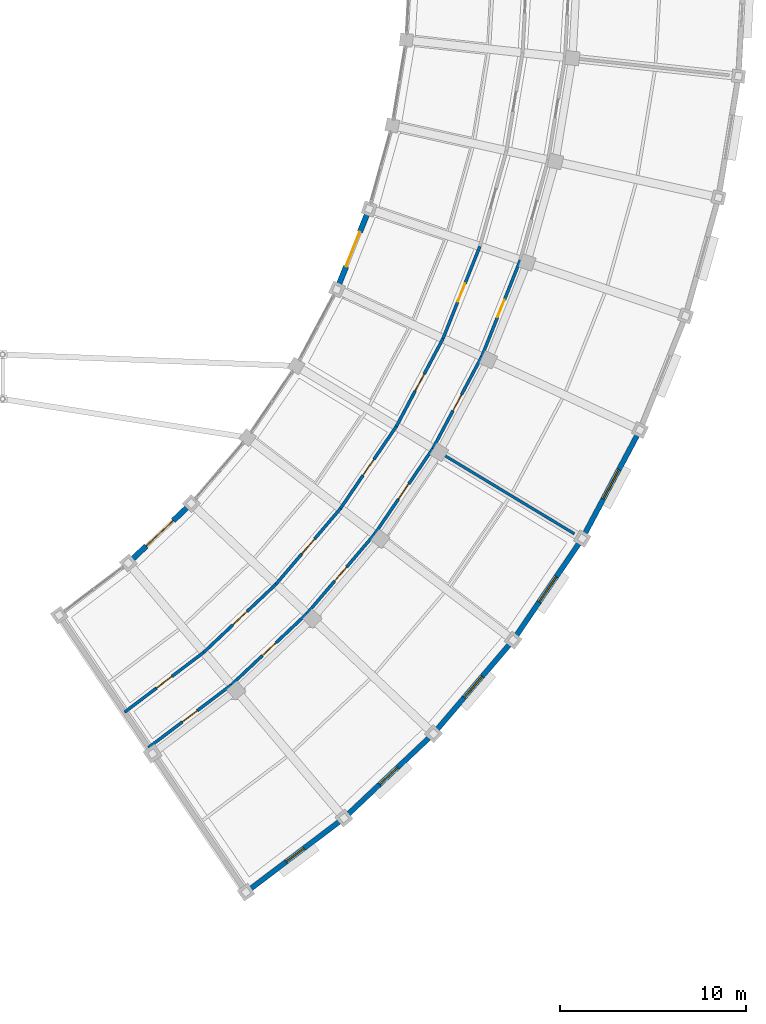
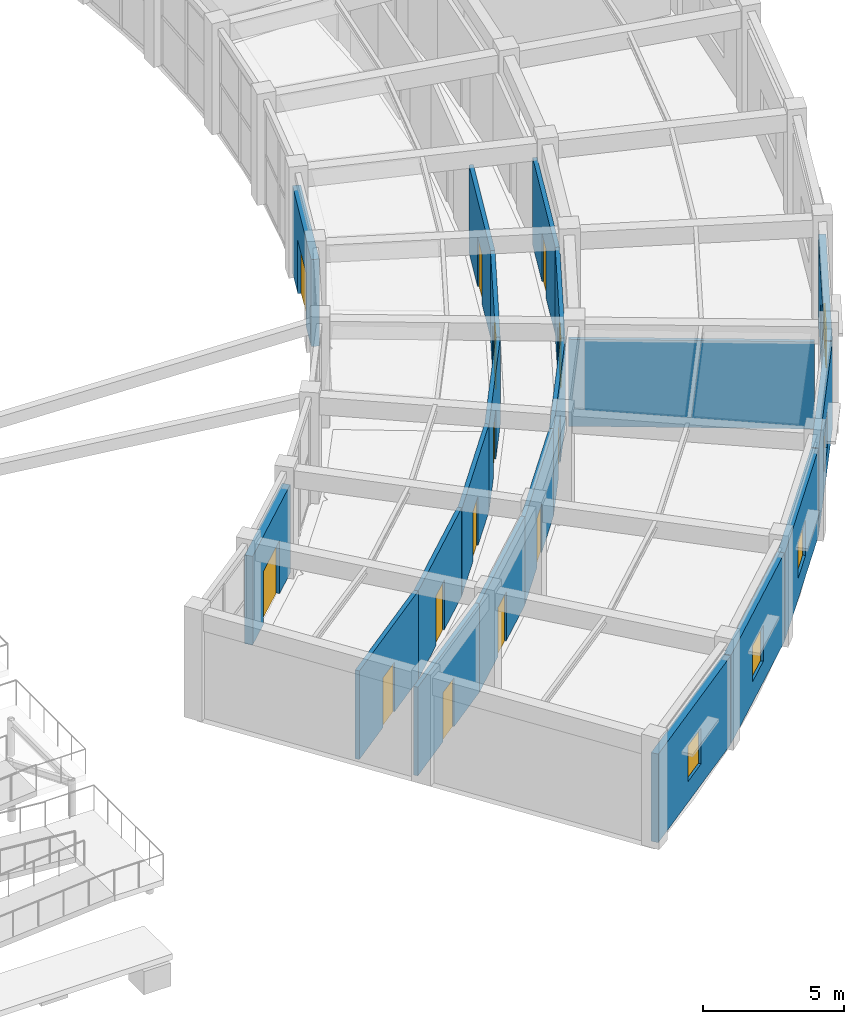
# One storey, part 93 of 108: 20 walls, 14 doors, 5 windows, 19 openings.
"""IFC4 building model written with IfcOpenShell, lengths in metres."""

from ifc_helpers import new_model, si_unit, direction, frame, frame_2d, origin, place, context, subcontext, project, spatial, rectangle, extrude, material, layer, layer_set, type_object, element, fill, save


model = new_model("IFC4")

# Units and contexts
model_context = context("Model", 3, precision=1e-05, world=origin(), true_north=direction((0.0, 1.0)))
body_context = subcontext(model_context, "Body", "Model", "MODEL_VIEW")
ifc_project = project(units=[si_unit("LENGTHUNIT", "METRE"), si_unit("AREAUNIT", "SQUARE_METRE"), si_unit("VOLUMEUNIT", "CUBIC_METRE"), si_unit("PLANEANGLEUNIT", "RADIAN"), si_unit("MASSUNIT", "GRAM", prefix="KILO")], contexts=[model_context])

# Site, building, storey
site_placement = place(None, origin())
site = spatial("IfcSite", under=ifc_project, at=site_placement, CompositionType="ELEMENT")
building_placement = place(site_placement, origin())
building = spatial("IfcBuilding", under=site, at=building_placement, Name="Tarnveldt Headland Concert Hall", CompositionType="ELEMENT")
storey_placement = place(building_placement, origin())
storey = spatial("IfcBuildingStorey", under=building, at=storey_placement, Name="L00", CompositionType="ELEMENT", Elevation=0.0)

# Wall, opening, window
ifc_material_1 = material(Name="Coral-toned precast concrete C40/50", Category="concrete")
ifc_layer_1 = layer(ifc_material_1, 0.27490234375, Name="Coral-toned precast concrete C40/50", Category="concrete")
ifc_layer_set_1 = layer_set([ifc_layer_1], Name="Coral-toned precast concrete C40/50")
wall_type_1 = type_object("IfcWallType", Name="WL-EX275", PredefinedType="SOLIDWALL", material=ifc_layer_set_1)
wall_1_placement = place(storey_placement, frame((156.875, 13.41162109375, 0.0), z_axis=(0.0, 0.0, 1.0), x_axis=(-0.797477783019, -0.603348311998, 0.0)))
wall_1 = element("IfcWall", 1, at=wall_1_placement, inside=storey, type_object=wall_type_1, Name="External precast wall L00-85", PredefinedType="SOLIDWALL", context=body_context, shape_type="SweptSolid", body=[
    extrude(rectangle(XDim=6.5810546875, YDim=0.27490234375, at=frame_2d((3.29052734375, 0.0))), origin(), (0.0, 0.0, 1.0), 3.827880859375),
])
opening_1_placement = place(wall_1_placement, frame((2.690673828125, 0.0, 0.89990234375)))
opening_1 = element("IfcOpeningElement", 2, at=opening_1_placement, cuts=wall_1, Name="Opening W-C024", PredefinedType="OPENING", context=body_context, shape_type="SweptSolid", body=[
    extrude(rectangle(XDim=1.199951171875, YDim=1.550048828125, at=frame_2d((0.60009765625, 0.77490234375))), frame((0.0, 0.1474609375, 0.0), z_axis=(0.0, -1.0, 0.0), x_axis=(1.0, 0.0, 0.0)), (0.0, 0.0, 1.0), 0.294921875),
])
ifc_material_2 = material(Name="Acoustic laminated low-iron double glazing", Category="glass")
window_type_1 = type_object("IfcWindowType", Name="WN-01", PartitioningType="SINGLE_PANEL", PredefinedType="WINDOW", material=ifc_material_2)
window_1_placement = place(opening_1_placement, origin())
window_1 = element("IfcWindow", 3, at=window_1_placement, inside=storey, type_object=window_type_1, Name="Crescent coastal studio window L00-1", OverallHeight=1.550048828125, OverallWidth=1.199951171875, PartitioningType="SINGLE_PANEL", PredefinedType="WINDOW", context=body_context, shape_type="SweptSolid", body=[
    extrude(rectangle(XDim=1.199951171875, YDim=1.550048828125, at=frame_2d((0.60009765625, 0.77490234375))), frame((0.0, 0.030029296875, 0.0), z_axis=(0.0, -1.0, 0.0), x_axis=(1.0, 0.0, 0.0)), (0.0, 0.0, 1.0), 0.06005859375),
])
fill(opening_1, window_1)

wall_2_placement = place(storey_placement, frame((161.692626953125, 17.953857421875, 0.0), z_axis=(0.0, 0.0, 1.0), x_axis=(-0.727377231984, -0.686237832235, 0.0)))
wall_2 = element("IfcWall", 4, at=wall_2_placement, inside=storey, type_object=wall_type_1, Name="External precast wall L00-87", PredefinedType="SOLIDWALL", context=body_context, shape_type="SweptSolid", body=[
    extrude(rectangle(XDim=6.581298828125, YDim=0.27490234375, at=frame_2d((3.29052734375, 0.0))), origin(), (0.0, 0.0, 1.0), 3.827880859375),
])
opening_2_placement = place(wall_2_placement, frame((2.61572265625, 0.0, 0.89990234375)))
opening_2 = element("IfcOpeningElement", 5, at=opening_2_placement, cuts=wall_2, Name="Opening W-C025", PredefinedType="OPENING", context=body_context, shape_type="SweptSolid", body=[
    extrude(rectangle(XDim=1.35009765625, YDim=1.550048828125, at=frame_2d((0.675048828125, 0.77490234375))), frame((0.0, 0.1474609375, 0.0), z_axis=(0.0, -1.0, 0.0), x_axis=(1.0, 0.0, 0.0)), (0.0, 0.0, 1.0), 0.294921875),
])
window_type_2 = type_object("IfcWindowType", Name="WN-02", PartitioningType="SINGLE_PANEL", PredefinedType="WINDOW", material=ifc_material_2)
window_2_placement = place(opening_2_placement, origin())
window_2 = element("IfcWindow", 6, at=window_2_placement, inside=storey, type_object=window_type_2, Name="Crescent coastal studio window L00-2", OverallHeight=1.550048828125, OverallWidth=1.35009765625, PartitioningType="SINGLE_PANEL", PredefinedType="WINDOW", context=body_context, shape_type="SweptSolid", body=[
    extrude(rectangle(XDim=1.35009765625, YDim=1.550048828125, at=frame_2d((0.675048828125, 0.77490234375))), frame((0.0, 0.030029296875, 0.0), z_axis=(0.0, -1.0, 0.0), x_axis=(1.0, 0.0, 0.0)), (0.0, 0.0, 1.0), 0.06005859375),
])
fill(opening_2, window_2)

wall_3_placement = place(storey_placement, frame((165.989501953125, 22.9912109375, 0.0), z_axis=(0.0, 0.0, 1.0), x_axis=(-0.648708464949, -0.761037007973, 0.0)))
wall_3 = element("IfcWall", 7, at=wall_3_placement, inside=storey, type_object=wall_type_1, Name="External precast wall L00-88", PredefinedType="SOLIDWALL", context=body_context, shape_type="SweptSolid", body=[
    extrude(rectangle(XDim=6.581298828125, YDim=0.27490234375, at=frame_2d((3.29052734375, 0.0))), origin(), (0.0, 0.0, 1.0), 3.758056640625),
])
opening_3_placement = place(wall_3_placement, frame((2.54052734375, 0.0, 0.89990234375)))
opening_3 = element("IfcOpeningElement", 8, at=opening_3_placement, cuts=wall_3, Name="Opening W-C026", PredefinedType="OPENING", context=body_context, shape_type="SweptSolid", body=[
    extrude(rectangle(XDim=1.5, YDim=1.550048828125, at=frame_2d((0.75, 0.77490234375))), frame((0.0, 0.1474609375, 0.0), z_axis=(0.0, -1.0, 0.0), x_axis=(1.0, 0.0, 0.0)), (0.0, 0.0, 1.0), 0.294921875),
])
window_type_3 = type_object("IfcWindowType", Name="WN-03", PartitioningType="SINGLE_PANEL", PredefinedType="WINDOW", material=ifc_material_2)
window_3_placement = place(opening_3_placement, origin())
window_3 = element("IfcWindow", 9, at=window_3_placement, inside=storey, type_object=window_type_3, Name="Crescent coastal studio window L00-3", OverallHeight=1.550048828125, OverallWidth=1.5, PartitioningType="SINGLE_PANEL", PredefinedType="WINDOW", context=body_context, shape_type="SweptSolid", body=[
    extrude(rectangle(XDim=1.5, YDim=1.550048828125, at=frame_2d((0.75, 0.77490234375))), frame((0.0, 0.030029296875, 0.0), z_axis=(0.0, -1.0, 0.0), x_axis=(1.0, 0.0, 0.0)), (0.0, 0.0, 1.0), 0.06005859375),
])
fill(opening_3, window_3)

wall_4_placement = place(storey_placement, frame((169.715087890625, 28.46484375, 0.0), z_axis=(0.0, 0.0, 1.0), x_axis=(-0.56240640933, -0.826860950067, 0.0)))
wall_4 = element("IfcWall", 10, at=wall_4_placement, inside=storey, type_object=wall_type_1, Name="External precast wall L00-89", PredefinedType="SOLIDWALL", context=body_context, shape_type="SweptSolid", body=[
    extrude(rectangle(XDim=6.581298828125, YDim=0.27490234375, at=frame_2d((3.29052734375, 0.0))), origin(), (0.0, 0.0, 1.0), 3.758056640625),
])
opening_4_placement = place(wall_4_placement, frame((2.4658203125, 0.0, 0.89990234375)))
opening_4 = element("IfcOpeningElement", 11, at=opening_4_placement, cuts=wall_4, Name="Opening W-C027", PredefinedType="OPENING", context=body_context, shape_type="SweptSolid", body=[
    extrude(rectangle(XDim=1.64990234375, YDim=1.550048828125, at=frame_2d((0.824951171875, 0.77490234375))), frame((0.0, 0.1474609375, 0.0), z_axis=(0.0, -1.0, 0.0), x_axis=(1.0, 0.0, 0.0)), (0.0, 0.0, 1.0), 0.294921875),
])
window_type_4 = type_object("IfcWindowType", Name="WN-04", PartitioningType="SINGLE_PANEL", PredefinedType="WINDOW", material=ifc_material_2)
window_4_placement = place(opening_4_placement, origin())
window_4 = element("IfcWindow", 12, at=window_4_placement, inside=storey, type_object=window_type_4, Name="Crescent coastal studio window L00-4", OverallHeight=1.550048828125, OverallWidth=1.64990234375, PartitioningType="SINGLE_PANEL", PredefinedType="WINDOW", context=body_context, shape_type="SweptSolid", body=[
    extrude(rectangle(XDim=1.64990234375, YDim=1.550048828125, at=frame_2d((0.824951171875, 0.77490234375))), frame((0.0, 0.030029296875, 0.0), z_axis=(0.0, -1.0, 0.0), x_axis=(1.0, 0.0, 0.0)), (0.0, 0.0, 1.0), 0.06005859375),
])
fill(opening_4, window_4)

wall_5_placement = place(storey_placement, frame((172.8251953125, 34.309814453125, 0.0), z_axis=(0.0, 0.0, 1.0), x_axis=(-0.469465310576, -0.882950917189, 0.0)))
wall_5 = element("IfcWall", 13, at=wall_5_placement, inside=storey, type_object=wall_type_1, Name="External precast wall L00-90", PredefinedType="SOLIDWALL", context=body_context, shape_type="SweptSolid", body=[
    extrude(rectangle(XDim=6.5810546875, YDim=0.27490234375, at=frame_2d((3.29052734375, 0.0))), origin(), (0.0, 0.0, 1.0), 3.758056640625),
])
opening_5_placement = place(wall_5_placement, frame((2.390625, 0.0, 0.89990234375)))
opening_5 = element("IfcOpeningElement", 14, at=opening_5_placement, cuts=wall_5, Name="Opening W-C028", PredefinedType="OPENING", context=body_context, shape_type="SweptSolid", body=[
    extrude(rectangle(XDim=1.800048828125, YDim=1.550048828125, at=frame_2d((0.89990234375, 0.77490234375))), frame((0.0, 0.1474609375, 0.0), z_axis=(0.0, -1.0, 0.0), x_axis=(1.0, 0.0, 0.0)), (0.0, 0.0, 1.0), 0.294921875),
])
window_type_5 = type_object("IfcWindowType", Name="WN-05", PartitioningType="SINGLE_PANEL", PredefinedType="WINDOW", material=ifc_material_2)
window_5_placement = place(opening_5_placement, origin())
window_5 = element("IfcWindow", 15, at=window_5_placement, inside=storey, type_object=window_type_5, Name="Crescent coastal studio window L00-5", OverallHeight=1.550048828125, OverallWidth=1.800048828125, PartitioningType="SINGLE_PANEL", PredefinedType="WINDOW", context=body_context, shape_type="SweptSolid", body=[
    extrude(rectangle(XDim=1.800048828125, YDim=1.550048828125, at=frame_2d((0.89990234375, 0.77490234375))), frame((0.0, 0.030029296875, 0.0), z_axis=(0.0, -1.0, 0.0), x_axis=(1.0, 0.0, 0.0)), (0.0, 0.0, 1.0), 0.06005859375),
])
fill(opening_5, window_5)

# Wall, opening, door
ifc_layer_2 = layer(ifc_material_1, 0.300048828125, Name="Coral-toned precast concrete C40/50", Category="concrete")
ifc_layer_set_2 = layer_set([ifc_layer_2], Name="Coral-toned precast concrete C40/50")
wall_type_2 = type_object("IfcWallType", Name="WL-EX300", PredefinedType="SOLIDWALL", material=ifc_layer_set_2)
wall_6_placement = place(storey_placement, frame((145.281982421875, 27.18115234375, 0.0), z_axis=(0.0, 0.0, 1.0), x_axis=(0.727383217963, 0.686231487346, 0.0)))
wall_6 = element("IfcWall", 16, at=wall_6_placement, inside=storey, type_object=wall_type_2, Name="External precast wall L00-86", PredefinedType="SOLIDWALL", context=body_context, shape_type="SweptSolid", body=[
    extrude(rectangle(XDim=4.62744140625, YDim=0.300048828125, at=frame_2d((2.313720703125, 0.0))), origin(), (0.0, 0.0, 1.0), 3.827880859375),
])
opening_6_placement = place(wall_6_placement, frame((1.313720703125, 0.0, 0.0)))
opening_6 = element("IfcOpeningElement", 17, at=opening_6_placement, cuts=wall_6, Name="Opening EX-09", PredefinedType="OPENING", context=body_context, shape_type="SweptSolid", body=[
    extrude(rectangle(XDim=2.0, YDim=2.300048828125, at=frame_2d((1.0, 1.14990234375))), frame((0.0, 0.159912109375, 0.0), z_axis=(0.0, -1.0, 0.0), x_axis=(1.0, 0.0, 0.0)), (0.0, 0.0, 1.0), 0.320068359375),
])
ifc_material_3 = material(Name="Marine-anodised aluminium EN AW-6063-T6", Category="aluminium")
door_type_1 = type_object("IfcDoorType", Name="DR-EX200", OperationType="NOTDEFINED", PredefinedType="DOOR", material=ifc_material_3)
door_1_placement = place(opening_6_placement, origin())
door_1 = element("IfcDoor", 18, at=door_1_placement, inside=storey, type_object=door_type_1, Name="Crescent forecourt exit door EX-09", OperationType="DOUBLE_DOOR_SINGLE_SWING", OverallHeight=2.300048828125, OverallWidth=2.0, PredefinedType="DOOR", context=body_context, shape_type="SweptSolid", body=[
    extrude(rectangle(XDim=2.0, YDim=2.300048828125, at=frame_2d((1.0, 1.14990234375))), frame((0.0, 0.02490234375, 0.0), z_axis=(0.0, -1.0, 0.0), x_axis=(1.0, 0.0, 0.0)), (0.0, 0.0, 1.0), 0.050048828125),
])
fill(opening_6, door_1)

wall_7_placement = place(storey_placement, frame((156.513916015625, 41.921630859375, 0.0), z_axis=(0.0, 0.0, 1.0), x_axis=(0.371008589462, 0.92862943446, 0.0)))
wall_7 = element("IfcWall", 19, at=wall_7_placement, inside=storey, type_object=wall_type_2, Name="External precast wall L00-91", PredefinedType="SOLIDWALL", context=body_context, shape_type="SweptSolid", body=[
    extrude(rectangle(XDim=4.62744140625, YDim=0.300048828125, at=frame_2d((2.313720703125, 0.0))), origin(), (0.0, 0.0, 1.0), 3.758056640625),
])
opening_7_placement = place(wall_7_placement, frame((1.313720703125, 0.0, 0.0)))
opening_7 = element("IfcOpeningElement", 20, at=opening_7_placement, cuts=wall_7, Name="Opening EX-10", PredefinedType="OPENING", context=body_context, shape_type="SweptSolid", body=[
    extrude(rectangle(XDim=2.0, YDim=2.300048828125, at=frame_2d((1.0, 1.14990234375))), frame((0.0, 0.159912109375, 0.0), z_axis=(0.0, -1.0, 0.0), x_axis=(1.0, 0.0, 0.0)), (0.0, 0.0, 1.0), 0.320068359375),
])
door_2_placement = place(opening_7_placement, origin())
door_2 = element("IfcDoor", 21, at=door_2_placement, inside=storey, type_object=door_type_1, Name="Crescent forecourt exit door EX-10", OperationType="DOUBLE_DOOR_SINGLE_SWING", OverallHeight=2.300048828125, OverallWidth=2.0, PredefinedType="DOOR", context=body_context, shape_type="SweptSolid", body=[
    extrude(rectangle(XDim=2.0, YDim=2.300048828125, at=frame_2d((1.0, 1.14990234375))), frame((0.0, 0.02490234375, 0.0), z_axis=(0.0, -1.0, 0.0), x_axis=(1.0, 0.0, 0.0)), (0.0, 0.0, 1.0), 0.050048828125),
])
fill(opening_7, door_2)

# Wall
ifc_material_4 = material(Name="Acoustic multi-layer gypsum and mineral-wool partition", Category="gypsum")
ifc_layer_3 = layer(ifc_material_4, 0.14990234375, Name="Acoustic multi-layer gypsum and mineral-wool partition", Category="gypsum")
ifc_layer_set_3 = layer_set([ifc_layer_3], Name="Acoustic multi-layer gypsum and mineral-wool partition")
wall_type_3 = type_object("IfcWallType", Name="WL-PT150", PredefinedType="PARTITIONING", material=ifc_layer_set_3)
wall_8_placement = place(storey_placement, frame((161.849365234375, 33.235107421875, 0.0), z_axis=(0.0, 0.0, 1.0), x_axis=(0.856165401623, -0.516701853165, 0.0)))
element("IfcWall", 22, at=wall_8_placement, inside=storey, type_object=wall_type_3, Name="Interior acoustic partition L00-150", PredefinedType="PARTITIONING", context=body_context, shape_type="SweptSolid", body=[
    extrude(rectangle(XDim=8.7001953125, YDim=0.14990234375, at=frame_2d((4.35009765625, 0.0))), origin(), (0.0, 0.0, 1.0), 3.760009765625),
])

# Wall, opening, door
ifc_layer_4 = layer(ifc_material_4, 0.1650390625, Name="Acoustic multi-layer gypsum and mineral-wool partition", Category="gypsum")
ifc_layer_set_4 = layer_set([ifc_layer_4], Name="Acoustic multi-layer gypsum and mineral-wool partition")
wall_type_4 = type_object("IfcWallType", Name="WL-PT165", PredefinedType="PARTITIONING", material=ifc_layer_set_4)
wall_9_placement = place(storey_placement, frame((145.068115234375, 19.12841796875, 0.0), z_axis=(0.0, 0.0, 1.0), x_axis=(0.797474612376, 0.603352502784, 0.0)))
wall_9 = element("IfcWall", 23, at=wall_9_placement, inside=storey, type_object=wall_type_4, Name="Interior acoustic partition L00-140", PredefinedType="PARTITIONING", context=body_context, shape_type="SweptSolid", body=[
    extrude(rectangle(XDim=5.351318359375, YDim=0.1650390625, at=frame_2d((2.67578125, 0.0))), origin(), (0.0, 0.0, 1.0), 3.830078125),
])
opening_8_placement = place(wall_9_placement, frame((2.150634765625, 0.0, 0.0)))
opening_8 = element("IfcOpeningElement", 24, at=opening_8_placement, cuts=wall_9, Name="Opening D-L00-155", PredefinedType="OPENING", context=body_context, shape_type="SweptSolid", body=[
    extrude(rectangle(XDim=1.050048828125, YDim=2.14990234375, at=frame_2d((0.52490234375, 1.074951171875))), frame((0.0, 0.092529296875, 0.0), z_axis=(0.0, -1.0, 0.0), x_axis=(1.0, 0.0, 0.0)), (0.0, 0.0, 1.0), 0.18505859375),
])
ifc_material_5 = material(Name="Treated East African mvule hardwood", Category="wood")
door_type_2 = type_object("IfcDoorType", Name="DR-RM105", OperationType="NOTDEFINED", PredefinedType="DOOR", material=ifc_material_5)
door_3_placement = place(opening_8_placement, origin())
door_3 = element("IfcDoor", 25, at=door_3_placement, inside=storey, type_object=door_type_2, Name="Interior room door L00-155", OperationType="SINGLE_SWING_LEFT", OverallHeight=2.14990234375, OverallWidth=1.050048828125, PredefinedType="DOOR", context=body_context, shape_type="SweptSolid", body=[
    extrude(rectangle(XDim=1.050048828125, YDim=2.14990234375, at=frame_2d((0.52490234375, 1.074951171875))), frame((0.0, 0.02490234375, 0.0), z_axis=(0.0, -1.0, 0.0), x_axis=(1.0, 0.0, 0.0)), (0.0, 0.0, 1.0), 0.050048828125),
])
fill(opening_8, door_3)

wall_10_placement = place(storey_placement, frame((146.3544921875, 17.2216796875, 0.0), z_axis=(0.0, 0.0, 1.0), x_axis=(0.797450601932, 0.603384237015, 0.0)))
wall_10 = element("IfcWall", 26, at=wall_10_placement, inside=storey, type_object=wall_type_4, Name="Interior acoustic partition L00-141", PredefinedType="PARTITIONING", context=body_context, shape_type="SweptSolid", body=[
    extrude(rectangle(XDim=5.600830078125, YDim=0.1650390625, at=frame_2d((2.80029296875, 0.0))), origin(), (0.0, 0.0, 1.0), 3.830078125),
])
opening_9_placement = place(wall_10_placement, frame((2.30029296875, 0.0, 0.0)))
opening_9 = element("IfcOpeningElement", 27, at=opening_9_placement, cuts=wall_10, Name="Opening D-L00-156", PredefinedType="OPENING", context=body_context, shape_type="SweptSolid", body=[
    extrude(rectangle(XDim=1.0, YDim=2.1201171875, at=frame_2d((0.5, 1.06005859375))), frame((0.0, 0.092529296875, 0.0), z_axis=(0.0, -1.0, 0.0), x_axis=(1.0, 0.0, 0.0)), (0.0, 0.0, 1.0), 0.18505859375),
])
door_type_3 = type_object("IfcDoorType", Name="DR-RM100", OperationType="NOTDEFINED", PredefinedType="DOOR", material=ifc_material_5)
door_4_placement = place(opening_9_placement, origin())
door_4 = element("IfcDoor", 28, at=door_4_placement, inside=storey, type_object=door_type_3, Name="Interior room door L00-156", OperationType="SINGLE_SWING_RIGHT", OverallHeight=2.1201171875, OverallWidth=1.0, PredefinedType="DOOR", context=body_context, shape_type="SweptSolid", body=[
    extrude(rectangle(XDim=1.0, YDim=2.1201171875, at=frame_2d((0.5, 1.06005859375))), frame((0.0, 0.02490234375, 0.0), z_axis=(0.0, -1.0, 0.0), x_axis=(1.0, 0.0, 0.0)), (0.0, 0.0, 1.0), 0.050048828125),
])
fill(opening_9, door_4)

wall_11_placement = place(storey_placement, frame((149.335693359375, 22.357177734375, 0.0), z_axis=(0.0, 0.0, 1.0), x_axis=(0.7273609966, 0.68625504051, 0.0)))
wall_11 = element("IfcWall", 29, at=wall_11_placement, inside=storey, type_object=wall_type_4, Name="Interior acoustic partition L00-142", PredefinedType="PARTITIONING", context=body_context, shape_type="SweptSolid", body=[
    extrude(rectangle(XDim=5.351318359375, YDim=0.1650390625, at=frame_2d((2.67578125, 0.0))), origin(), (0.0, 0.0, 1.0), 3.830078125),
])
opening_10_placement = place(wall_11_placement, frame((2.150634765625, 0.0, 0.0)))
opening_10 = element("IfcOpeningElement", 30, at=opening_10_placement, cuts=wall_11, Name="Opening D-L00-157", PredefinedType="OPENING", context=body_context, shape_type="SweptSolid", body=[
    extrude(rectangle(XDim=1.050048828125, YDim=2.14990234375, at=frame_2d((0.52490234375, 1.074951171875))), frame((0.0, 0.092529296875, 0.0), z_axis=(0.0, -1.0, 0.0), x_axis=(1.0, 0.0, 0.0)), (0.0, 0.0, 1.0), 0.18505859375),
])
door_5_placement = place(opening_10_placement, origin())
door_5 = element("IfcDoor", 31, at=door_5_placement, inside=storey, type_object=door_type_2, Name="Interior room door L00-157", OperationType="SINGLE_SWING_LEFT", OverallHeight=2.14990234375, OverallWidth=1.050048828125, PredefinedType="DOOR", context=body_context, shape_type="SweptSolid", body=[
    extrude(rectangle(XDim=1.050048828125, YDim=2.14990234375, at=frame_2d((0.52490234375, 1.074951171875))), frame((0.0, 0.02490234375, 0.0), z_axis=(0.0, -1.0, 0.0), x_axis=(1.0, 0.0, 0.0)), (0.0, 0.0, 1.0), 0.050048828125),
])
fill(opening_10, door_5)

wall_12_placement = place(storey_placement, frame((150.82080078125, 20.60107421875, 0.0), z_axis=(0.0, 0.0, 1.0), x_axis=(0.727402273239, 0.686211288807, 0.0)))
wall_12 = element("IfcWall", 32, at=wall_12_placement, inside=storey, type_object=wall_type_4, Name="Interior acoustic partition L00-143", PredefinedType="PARTITIONING", context=body_context, shape_type="SweptSolid", body=[
    extrude(rectangle(XDim=5.60107421875, YDim=0.1650390625, at=frame_2d((2.800537109375, 0.0))), origin(), (0.0, 0.0, 1.0), 3.830078125),
])
opening_11_placement = place(wall_12_placement, frame((2.300537109375, 0.0, 0.0)))
opening_11 = element("IfcOpeningElement", 33, at=opening_11_placement, cuts=wall_12, Name="Opening D-L00-158", PredefinedType="OPENING", context=body_context, shape_type="SweptSolid", body=[
    extrude(rectangle(XDim=1.0, YDim=2.1201171875, at=frame_2d((0.5, 1.06005859375))), frame((0.0, 0.092529296875, 0.0), z_axis=(0.0, -1.0, 0.0), x_axis=(1.0, 0.0, 0.0)), (0.0, 0.0, 1.0), 0.18505859375),
])
door_6_placement = place(opening_11_placement, origin())
door_6 = element("IfcDoor", 34, at=door_6_placement, inside=storey, type_object=door_type_3, Name="Interior room door L00-158", OperationType="SINGLE_SWING_RIGHT", OverallHeight=2.1201171875, OverallWidth=1.0, PredefinedType="DOOR", context=body_context, shape_type="SweptSolid", body=[
    extrude(rectangle(XDim=1.0, YDim=2.1201171875, at=frame_2d((0.5, 1.06005859375))), frame((0.0, 0.02490234375, 0.0), z_axis=(0.0, -1.0, 0.0), x_axis=(1.0, 0.0, 0.0)), (0.0, 0.0, 1.0), 0.050048828125),
])
fill(opening_11, door_6)

wall_13_placement = place(storey_placement, frame((153.22802734375, 26.029541015625, 0.0), z_axis=(0.0, 0.0, 1.0), x_axis=(0.64871121873, 0.761034660639, 0.0)))
wall_13 = element("IfcWall", 35, at=wall_13_placement, inside=storey, type_object=wall_type_4, Name="Interior acoustic partition L00-144", PredefinedType="PARTITIONING", context=body_context, shape_type="SweptSolid", body=[
    extrude(rectangle(XDim=5.351318359375, YDim=0.1650390625, at=frame_2d((2.67578125, 0.0))), origin(), (0.0, 0.0, 1.0), 3.760009765625),
])
opening_12_placement = place(wall_13_placement, frame((2.150634765625, 0.0, 0.0)))
opening_12 = element("IfcOpeningElement", 36, at=opening_12_placement, cuts=wall_13, Name="Opening D-L00-159", PredefinedType="OPENING", context=body_context, shape_type="SweptSolid", body=[
    extrude(rectangle(XDim=1.050048828125, YDim=2.14990234375, at=frame_2d((0.52490234375, 1.074951171875))), frame((0.0, 0.092529296875, 0.0), z_axis=(0.0, -1.0, 0.0), x_axis=(1.0, 0.0, 0.0)), (0.0, 0.0, 1.0), 0.18505859375),
])
door_7_placement = place(opening_12_placement, origin())
door_7 = element("IfcDoor", 37, at=door_7_placement, inside=storey, type_object=door_type_2, Name="Interior room door L00-159", OperationType="SINGLE_SWING_LEFT", OverallHeight=2.14990234375, OverallWidth=1.050048828125, PredefinedType="DOOR", context=body_context, shape_type="SweptSolid", body=[
    extrude(rectangle(XDim=1.050048828125, YDim=2.14990234375, at=frame_2d((0.52490234375, 1.074951171875))), frame((0.0, 0.02490234375, 0.0), z_axis=(0.0, -1.0, 0.0), x_axis=(1.0, 0.0, 0.0)), (0.0, 0.0, 1.0), 0.050048828125),
])
fill(opening_12, door_7)

wall_14_placement = place(storey_placement, frame((154.89501953125, 24.444580078125, 0.0), z_axis=(0.0, 0.0, 1.0), x_axis=(0.648706861437, 0.761038374804, 0.0)))
wall_14 = element("IfcWall", 38, at=wall_14_placement, inside=storey, type_object=wall_type_4, Name="Interior acoustic partition L00-145", PredefinedType="PARTITIONING", context=body_context, shape_type="SweptSolid", body=[
    extrude(rectangle(XDim=5.600830078125, YDim=0.1650390625, at=frame_2d((2.80029296875, 0.0))), origin(), (0.0, 0.0, 1.0), 3.760009765625),
])
opening_13_placement = place(wall_14_placement, frame((2.30029296875, 0.0, 0.0)))
opening_13 = element("IfcOpeningElement", 39, at=opening_13_placement, cuts=wall_14, Name="Opening D-L00-160", PredefinedType="OPENING", context=body_context, shape_type="SweptSolid", body=[
    extrude(rectangle(XDim=1.0, YDim=2.1201171875, at=frame_2d((0.5, 1.06005859375))), frame((0.0, 0.092529296875, 0.0), z_axis=(0.0, -1.0, 0.0), x_axis=(1.0, 0.0, 0.0)), (0.0, 0.0, 1.0), 0.18505859375),
])
door_8_placement = place(opening_13_placement, origin())
door_8 = element("IfcDoor", 40, at=door_8_placement, inside=storey, type_object=door_type_3, Name="Interior room door L00-160", OperationType="SINGLE_SWING_RIGHT", OverallHeight=2.1201171875, OverallWidth=1.0, PredefinedType="DOOR", context=body_context, shape_type="SweptSolid", body=[
    extrude(rectangle(XDim=1.0, YDim=2.1201171875, at=frame_2d((0.5, 1.06005859375))), frame((0.0, 0.02490234375, 0.0), z_axis=(0.0, -1.0, 0.0), x_axis=(1.0, 0.0, 0.0)), (0.0, 0.0, 1.0), 0.050048828125),
])
fill(opening_13, door_8)

wall_15_placement = place(storey_placement, frame((156.699462890625, 30.10205078125, 0.0), z_axis=(0.0, 0.0, 1.0), x_axis=(0.562414843725, 0.826855213177, 0.0)))
wall_15 = element("IfcWall", 41, at=wall_15_placement, inside=storey, type_object=wall_type_4, Name="Interior acoustic partition L00-146", PredefinedType="PARTITIONING", context=body_context, shape_type="SweptSolid", body=[
    extrude(rectangle(XDim=5.35107421875, YDim=0.1650390625, at=frame_2d((2.675537109375, 0.0))), origin(), (0.0, 0.0, 1.0), 3.760009765625),
])
opening_14_placement = place(wall_15_placement, frame((2.150634765625, 0.0, 0.0)))
opening_14 = element("IfcOpeningElement", 42, at=opening_14_placement, cuts=wall_15, Name="Opening D-L00-161", PredefinedType="OPENING", context=body_context, shape_type="SweptSolid", body=[
    extrude(rectangle(XDim=1.050048828125, YDim=2.14990234375, at=frame_2d((0.52490234375, 1.074951171875))), frame((0.0, 0.092529296875, 0.0), z_axis=(0.0, -1.0, 0.0), x_axis=(1.0, 0.0, 0.0)), (0.0, 0.0, 1.0), 0.18505859375),
])
door_9_placement = place(opening_14_placement, origin())
door_9 = element("IfcDoor", 43, at=door_9_placement, inside=storey, type_object=door_type_2, Name="Interior room door L00-161", OperationType="SINGLE_SWING_LEFT", OverallHeight=2.14990234375, OverallWidth=1.050048828125, PredefinedType="DOOR", context=body_context, shape_type="SweptSolid", body=[
    extrude(rectangle(XDim=1.050048828125, YDim=2.14990234375, at=frame_2d((0.52490234375, 1.074951171875))), frame((0.0, 0.02490234375, 0.0), z_axis=(0.0, -1.0, 0.0), x_axis=(1.0, 0.0, 0.0)), (0.0, 0.0, 1.0), 0.050048828125),
])
fill(opening_14, door_9)

wall_16_placement = place(storey_placement, frame((158.5283203125, 28.70703125, 0.0), z_axis=(0.0, 0.0, 1.0), x_axis=(0.562381554388, 0.826877855118, 0.0)))
wall_16 = element("IfcWall", 44, at=wall_16_placement, inside=storey, type_object=wall_type_4, Name="Interior acoustic partition L00-147", PredefinedType="PARTITIONING", context=body_context, shape_type="SweptSolid", body=[
    extrude(rectangle(XDim=5.60107421875, YDim=0.1650390625, at=frame_2d((2.800537109375, 0.0))), origin(), (0.0, 0.0, 1.0), 3.760009765625),
])
opening_15_placement = place(wall_16_placement, frame((2.300537109375, 0.0, 0.0)))
opening_15 = element("IfcOpeningElement", 45, at=opening_15_placement, cuts=wall_16, Name="Opening D-L00-162", PredefinedType="OPENING", context=body_context, shape_type="SweptSolid", body=[
    extrude(rectangle(XDim=1.0, YDim=2.1201171875, at=frame_2d((0.5, 1.06005859375))), frame((0.0, 0.092529296875, 0.0), z_axis=(0.0, -1.0, 0.0), x_axis=(1.0, 0.0, 0.0)), (0.0, 0.0, 1.0), 0.18505859375),
])
door_10_placement = place(opening_15_placement, origin())
door_10 = element("IfcDoor", 46, at=door_10_placement, inside=storey, type_object=door_type_3, Name="Interior room door L00-162", OperationType="SINGLE_SWING_RIGHT", OverallHeight=2.1201171875, OverallWidth=1.0, PredefinedType="DOOR", context=body_context, shape_type="SweptSolid", body=[
    extrude(rectangle(XDim=1.0, YDim=2.1201171875, at=frame_2d((0.5, 1.06005859375))), frame((0.0, 0.02490234375, 0.0), z_axis=(0.0, -1.0, 0.0), x_axis=(1.0, 0.0, 0.0)), (0.0, 0.0, 1.0), 0.050048828125),
])
fill(opening_15, door_10)

wall_17_placement = place(storey_placement, frame((159.708984375, 34.526611328125, 0.0), z_axis=(0.0, 0.0, 1.0), x_axis=(0.469446511706, 0.882960912299, 0.0)))
wall_17 = element("IfcWall", 47, at=wall_17_placement, inside=storey, type_object=wall_type_4, Name="Interior acoustic partition L00-148", PredefinedType="PARTITIONING", context=body_context, shape_type="SweptSolid", body=[
    extrude(rectangle(XDim=5.351318359375, YDim=0.1650390625, at=frame_2d((2.67578125, 0.0))), origin(), (0.0, 0.0, 1.0), 3.760009765625),
])
opening_16_placement = place(wall_17_placement, frame((2.150634765625, 0.0, 0.0)))
opening_16 = element("IfcOpeningElement", 48, at=opening_16_placement, cuts=wall_17, Name="Opening D-L00-163", PredefinedType="OPENING", context=body_context, shape_type="SweptSolid", body=[
    extrude(rectangle(XDim=1.050048828125, YDim=2.14990234375, at=frame_2d((0.52490234375, 1.074951171875))), frame((0.0, 0.092529296875, 0.0), z_axis=(0.0, -1.0, 0.0), x_axis=(1.0, 0.0, 0.0)), (0.0, 0.0, 1.0), 0.18505859375),
])
door_11_placement = place(opening_16_placement, origin())
door_11 = element("IfcDoor", 49, at=door_11_placement, inside=storey, type_object=door_type_2, Name="Interior room door L00-163", OperationType="SINGLE_SWING_LEFT", OverallHeight=2.14990234375, OverallWidth=1.050048828125, PredefinedType="DOOR", context=body_context, shape_type="SweptSolid", body=[
    extrude(rectangle(XDim=1.050048828125, YDim=2.14990234375, at=frame_2d((0.52490234375, 1.074951171875))), frame((0.0, 0.02490234375, 0.0), z_axis=(0.0, -1.0, 0.0), x_axis=(1.0, 0.0, 0.0)), (0.0, 0.0, 1.0), 0.050048828125),
])
fill(opening_16, door_11)

wall_18_placement = place(storey_placement, frame((161.67822265625, 33.33837890625, 0.0), z_axis=(0.0, 0.0, 1.0), x_axis=(0.469461155726, 0.882953126312, 0.0)))
wall_18 = element("IfcWall", 50, at=wall_18_placement, inside=storey, type_object=wall_type_4, Name="Interior acoustic partition L00-149", PredefinedType="PARTITIONING", context=body_context, shape_type="SweptSolid", body=[
    extrude(rectangle(XDim=5.600830078125, YDim=0.1650390625, at=frame_2d((2.80029296875, 0.0))), origin(), (0.0, 0.0, 1.0), 3.760009765625),
])
opening_17_placement = place(wall_18_placement, frame((2.300537109375, 0.0, 0.0)))
opening_17 = element("IfcOpeningElement", 51, at=opening_17_placement, cuts=wall_18, Name="Opening D-L00-164", PredefinedType="OPENING", context=body_context, shape_type="SweptSolid", body=[
    extrude(rectangle(XDim=1.0, YDim=2.1201171875, at=frame_2d((0.5, 1.06005859375))), frame((0.0, 0.092529296875, 0.0), z_axis=(0.0, -1.0, 0.0), x_axis=(1.0, 0.0, 0.0)), (0.0, 0.0, 1.0), 0.18505859375),
])
door_12_placement = place(opening_17_placement, origin())
door_12 = element("IfcDoor", 52, at=door_12_placement, inside=storey, type_object=door_type_3, Name="Interior room door L00-164", OperationType="SINGLE_SWING_RIGHT", OverallHeight=2.1201171875, OverallWidth=1.0, PredefinedType="DOOR", context=body_context, shape_type="SweptSolid", body=[
    extrude(rectangle(XDim=1.0, YDim=2.1201171875, at=frame_2d((0.5, 1.06005859375))), frame((0.0, 0.02490234375, 0.0), z_axis=(0.0, -1.0, 0.0), x_axis=(1.0, 0.0, 0.0)), (0.0, 0.0, 1.0), 0.050048828125),
])
fill(opening_17, door_12)

wall_19_placement = place(storey_placement, frame((162.22119140625, 39.251708984375, 0.0), z_axis=(0.0, 0.0, 1.0), x_axis=(0.371052411724, 0.92861192527, 0.0)))
wall_19 = element("IfcWall", 53, at=wall_19_placement, inside=storey, type_object=wall_type_4, Name="Interior acoustic partition L00-151", PredefinedType="PARTITIONING", context=body_context, shape_type="SweptSolid", body=[
    extrude(rectangle(XDim=5.351318359375, YDim=0.1650390625, at=frame_2d((2.67578125, 0.0))), origin(), (0.0, 0.0, 1.0), 3.760009765625),
])
opening_18_placement = place(wall_19_placement, frame((2.150634765625, 0.0, 0.0)))
opening_18 = element("IfcOpeningElement", 54, at=opening_18_placement, cuts=wall_19, Name="Opening D-L00-165", PredefinedType="OPENING", context=body_context, shape_type="SweptSolid", body=[
    extrude(rectangle(XDim=1.050048828125, YDim=2.14990234375, at=frame_2d((0.52490234375, 1.074951171875))), frame((0.0, 0.092529296875, 0.0), z_axis=(0.0, -1.0, 0.0), x_axis=(1.0, 0.0, 0.0)), (0.0, 0.0, 1.0), 0.18505859375),
])
door_13_placement = place(opening_18_placement, origin())
door_13 = element("IfcDoor", 55, at=door_13_placement, inside=storey, type_object=door_type_2, Name="Interior room door L00-165", OperationType="SINGLE_SWING_LEFT", OverallHeight=2.14990234375, OverallWidth=1.050048828125, PredefinedType="DOOR", context=body_context, shape_type="SweptSolid", body=[
    extrude(rectangle(XDim=1.050048828125, YDim=2.14990234375, at=frame_2d((0.52490234375, 1.074951171875))), frame((0.0, 0.02490234375, 0.0), z_axis=(0.0, -1.0, 0.0), x_axis=(1.0, 0.0, 0.0)), (0.0, 0.0, 1.0), 0.050048828125),
])
fill(opening_18, door_13)

wall_20_placement = place(storey_placement, frame((164.3076171875, 38.28369140625, 0.0), z_axis=(0.0, 0.0, 1.0), x_axis=(0.371029911437, 0.928620915562, 0.0)))
wall_20 = element("IfcWall", 56, at=wall_20_placement, inside=storey, type_object=wall_type_4, Name="Interior acoustic partition L00-152", PredefinedType="PARTITIONING", context=body_context, shape_type="SweptSolid", body=[
    extrude(rectangle(XDim=5.60107421875, YDim=0.1650390625, at=frame_2d((2.800537109375, 0.0))), origin(), (0.0, 0.0, 1.0), 3.760009765625),
])
opening_19_placement = place(wall_20_placement, frame((2.300537109375, 0.0, 0.0)))
opening_19 = element("IfcOpeningElement", 57, at=opening_19_placement, cuts=wall_20, Name="Opening D-L00-166", PredefinedType="OPENING", context=body_context, shape_type="SweptSolid", body=[
    extrude(rectangle(XDim=1.0, YDim=2.1201171875, at=frame_2d((0.5, 1.06005859375))), frame((0.0, 0.092529296875, 0.0), z_axis=(0.0, -1.0, 0.0), x_axis=(1.0, 0.0, 0.0)), (0.0, 0.0, 1.0), 0.18505859375),
])
door_14_placement = place(opening_19_placement, origin())
door_14 = element("IfcDoor", 58, at=door_14_placement, inside=storey, type_object=door_type_3, Name="Interior room door L00-166", OperationType="SINGLE_SWING_RIGHT", OverallHeight=2.1201171875, OverallWidth=1.0, PredefinedType="DOOR", context=body_context, shape_type="SweptSolid", body=[
    extrude(rectangle(XDim=1.0, YDim=2.1201171875, at=frame_2d((0.5, 1.06005859375))), frame((0.0, 0.02490234375, 0.0), z_axis=(0.0, -1.0, 0.0), x_axis=(1.0, 0.0, 0.0)), (0.0, 0.0, 1.0), 0.050048828125),
])
fill(opening_19, door_14)

save(model, "model.ifc")
